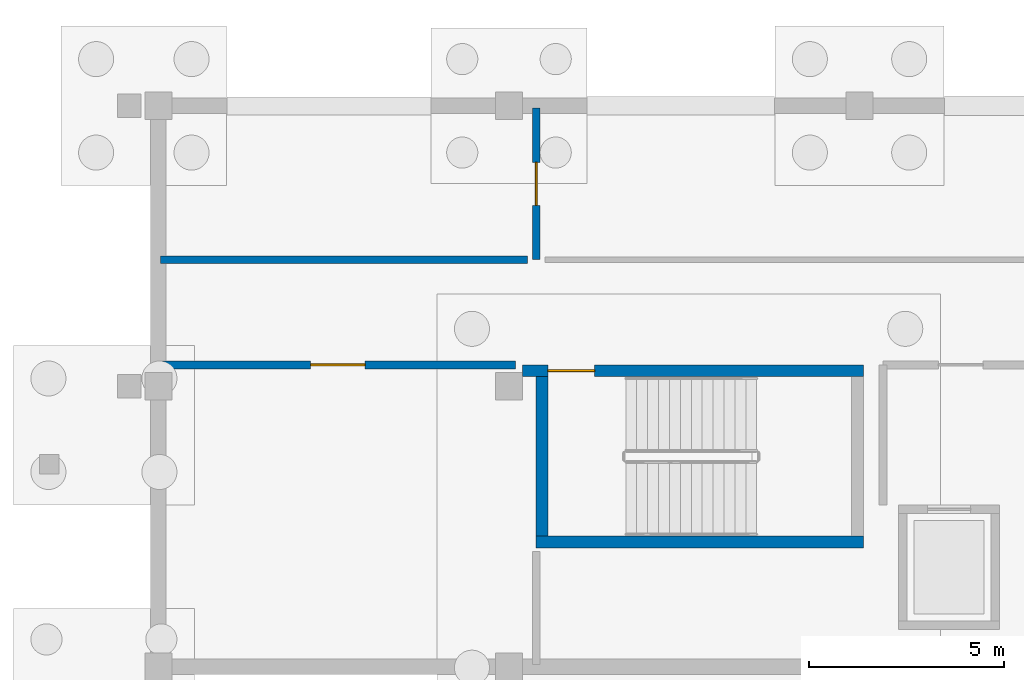
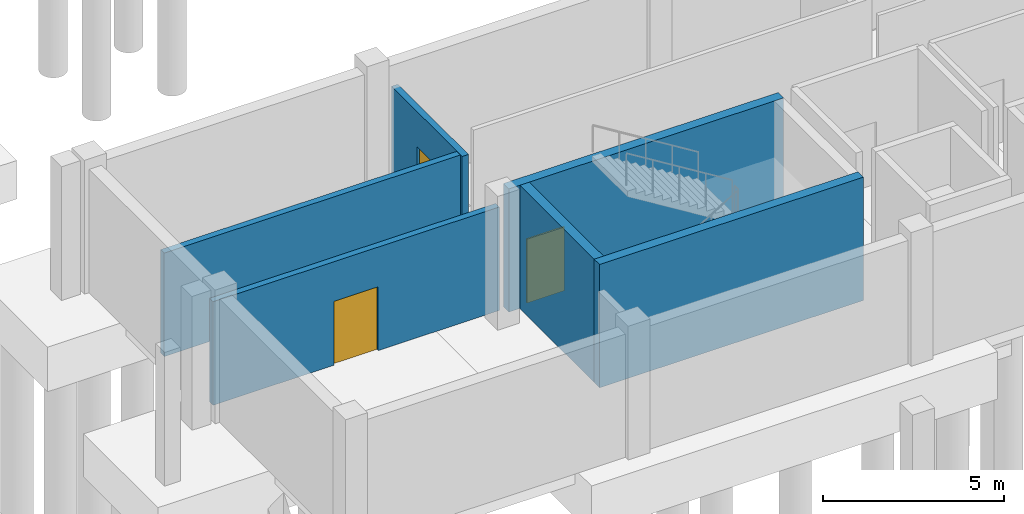
# One storey, part 18 of 36: 6 walls, 3 doors, 3 openings.
"""IFC4 building model written with IfcOpenShell, lengths in metres."""

from ifc_helpers import new_model, si_unit, direction, frame, frame_2d, origin, place, context, subcontext, project, spatial, rectangle, extrude, material, layer, layer_set, type_object, element, fill, save


model = new_model("IFC4")

# Units and contexts
model_context = context("Model", 3, precision=1e-05, world=origin(), true_north=direction((0.0, 1.0)))
body_context = subcontext(model_context, "Body", "Model", "MODEL_VIEW")
ifc_project = project(units=[si_unit("LENGTHUNIT", "METRE"), si_unit("AREAUNIT", "SQUARE_METRE"), si_unit("VOLUMEUNIT", "CUBIC_METRE"), si_unit("PLANEANGLEUNIT", "RADIAN"), si_unit("MASSUNIT", "GRAM", prefix="KILO")], contexts=[model_context])

# Site, building, storey
site_placement = place(None, origin())
site = spatial("IfcSite", under=ifc_project, at=site_placement, CompositionType="ELEMENT")
building_placement = place(site_placement, origin())
building = spatial("IfcBuilding", under=site, at=building_placement, Name="Chiffa Square Polytechnic", CompositionType="ELEMENT")
storey_placement = place(building_placement, frame((0.0, 0.0, -4.5)))
storey = spatial("IfcBuildingStorey", under=building, at=storey_placement, Name="B1", CompositionType="ELEMENT", Elevation=-4.5)

# Wall
ifc_material_1 = material(Name="Concrete C40/50", Category="concrete")
ifc_layer_1 = layer(ifc_material_1, 0.300048828125, Name="Concrete C40/50")
ifc_layer_set_1 = layer_set([ifc_layer_1], Name="Concrete C40/50")
wall_type_1 = type_object("IfcWallType", Name="WL-CORE-300", PredefinedType="SHEAR", material=ifc_layer_set_1)
wall_1_placement = place(storey_placement, frame((121.89990234375, 17.60009765625, 0.0), z_axis=(0.0, 0.0, 1.0), x_axis=(1.0, 0.0, 0.0)))
element("IfcWall", 1, at=wall_1_placement, inside=storey, type_object=wall_type_1, Name="Core or enclosure wall WC-CORE-V1A-B1-SOUTH", PredefinedType="SHEAR", context=body_context, shape_type="SweptSolid", body=[
    extrude(rectangle(XDim=8.400146484375, YDim=0.300048828125, at=frame_2d((4.2001953125, 0.0))), origin(), (0.0, 0.0, 1.0), 4.14990234375),
])

# Wall, opening, door
wall_2_placement = place(storey_placement, frame((121.550048828125, 22.0, 0.0), z_axis=(0.0, 0.0, 1.0), x_axis=(1.0, 0.0, 0.0)))
wall_2 = element("IfcWall", 2, at=wall_2_placement, inside=storey, type_object=wall_type_1, Name="Core or enclosure wall WC-CORE-V1A-B1-NORTH", PredefinedType="SHEAR", context=body_context, shape_type="SweptSolid", body=[
    extrude(rectangle(XDim=8.75, YDim=0.300048828125, at=frame_2d((4.375, 0.0))), origin(), (0.0, 0.0, 1.0), 4.14990234375),
])
opening_1_placement = place(wall_2_placement, frame((0.64990234375, 0.0, 0.0)))
opening_1 = element("IfcOpeningElement", 3, at=opening_1_placement, cuts=wall_2, Name="Opening DS-B1-001", PredefinedType="OPENING", context=body_context, shape_type="SweptSolid", body=[
    extrude(rectangle(XDim=1.199951171875, YDim=2.14990234375, at=frame_2d((0.60009765625, 1.074951171875))), frame((0.0, 0.16015625, 0.0), z_axis=(0.0, -1.0, 0.0), x_axis=(1.0, 0.0, 0.0)), (0.0, 0.0, 1.0), 0.320068359375),
])
ifc_material_2 = material(Name="Fire-rated painted steel leaf", Category="steel")
door_type_1 = type_object("IfcDoorType", Name="DR-STAIR-1200", OperationType="NOTDEFINED", PredefinedType="DOOR", material=ifc_material_2)
door_1_placement = place(opening_1_placement, origin())
door_1 = element("IfcDoor", 4, at=door_1_placement, inside=storey, type_object=door_type_1, Name="Enclosure door DS-B1-001", OperationType="SINGLE_SWING_LEFT", OverallHeight=2.14990234375, OverallWidth=1.199951171875, PredefinedType="DOOR", context=body_context, shape_type="SweptSolid", body=[
    extrude(rectangle(XDim=1.199951171875, YDim=2.14990234375, at=frame_2d((0.60009765625, 1.074951171875))), frame((0.0, 0.02490234375, 0.0), z_axis=(0.0, -1.0, 0.0), x_axis=(1.0, 0.0, 0.0)), (0.0, 0.0, 1.0), 0.050048828125),
])
fill(opening_1, door_1)

# Wall
wall_3_placement = place(storey_placement, frame((122.050048828125, 17.75, 0.0), z_axis=(0.0, 0.0, 1.0), x_axis=(0.0, 1.0, 0.0)))
element("IfcWall", 5, at=wall_3_placement, inside=storey, type_object=wall_type_1, Name="Core or enclosure wall WC-CORE-V1A-B1-WEST", PredefinedType="SHEAR", context=body_context, shape_type="SweptSolid", body=[
    extrude(rectangle(XDim=4.10009765625, YDim=0.300048828125, at=frame_2d((2.050048828125, 0.0))), origin(), (0.0, 0.0, 1.0), 4.14990234375),
])

# Wall, opening, door
ifc_material_3 = material(Name="Autoclaved aerated concrete blockwork", Category="masonry")
ifc_layer_2 = layer(ifc_material_3, 0.199951171875, Name="Autoclaved aerated concrete blockwork")
ifc_layer_set_2 = layer_set([ifc_layer_2], Name="Autoclaved aerated concrete blockwork")
wall_type_2 = type_object("IfcWallType", Name="WL-PART-EI120-200", PredefinedType="PARTITIONING", material=ifc_layer_set_2)
wall_4_placement = place(storey_placement, frame((121.89990234375, 24.85009765625, 0.0), z_axis=(0.0, 0.0, 1.0), x_axis=(0.0, 1.0, 0.0)))
wall_4 = element("IfcWall", 6, at=wall_4_placement, inside=storey, type_object=wall_type_2, Name="Interior partition WP-V1-B1-0008", PredefinedType="PARTITIONING", context=body_context, shape_type="SweptSolid", body=[
    extrude(rectangle(XDim=3.89501953125, YDim=0.199951171875, at=frame_2d((1.947509765625, 0.0))), origin(), (0.0, 0.0, 1.0), 3.3349609375),
])
opening_2_placement = place(wall_4_placement, frame((1.39697265625, 0.0, 0.0)))
opening_2 = element("IfcOpeningElement", 7, at=opening_2_placement, cuts=wall_4, Name="Opening DI-B1-051", PredefinedType="OPENING", context=body_context, shape_type="SweptSolid", body=[
    extrude(rectangle(XDim=1.10009765625, YDim=2.14990234375, at=frame_2d((0.550048828125, 1.074951171875))), frame((0.0, 0.10986328125, 0.0), z_axis=(0.0, -1.0, 0.0), x_axis=(1.0, 0.0, 0.0)), (0.0, 0.0, 1.0), 0.219970703125),
])
ifc_material_4 = material(Name="Solid core ash veneer door")
door_type_2 = type_object("IfcDoorType", Name="DR-INT-1100", OperationType="NOTDEFINED", PredefinedType="DOOR", material=ifc_material_4)
door_2_placement = place(opening_2_placement, origin())
door_2 = element("IfcDoor", 8, at=door_2_placement, inside=storey, type_object=door_type_2, Name="Interior room door DI-B1-051", OperationType="SINGLE_SWING_LEFT", OverallHeight=2.14990234375, OverallWidth=1.10009765625, PredefinedType="DOOR", context=body_context, shape_type="SweptSolid", body=[
    extrude(rectangle(XDim=1.10009765625, YDim=2.14990234375, at=frame_2d((0.550048828125, 1.074951171875))), frame((0.0, 0.02490234375, 0.0), z_axis=(0.0, -1.0, 0.0), x_axis=(1.0, 0.0, 0.0)), (0.0, 0.0, 1.0), 0.050048828125),
])
fill(opening_2, door_2)

wall_5_placement = place(storey_placement, frame((112.2548828125, 22.14990234375, 0.0), z_axis=(0.0, 0.0, 1.0), x_axis=(1.0, 0.0, 0.0)))
wall_5 = element("IfcWall", 9, at=wall_5_placement, inside=storey, type_object=wall_type_2, Name="Interior partition WP-V1-B1-0020", PredefinedType="PARTITIONING", context=body_context, shape_type="SweptSolid", body=[
    extrude(rectangle(XDim=9.108154296875, YDim=0.199951171875, at=frame_2d((4.55419921875, 0.0))), origin(), (0.0, 0.0, 1.0), 3.485107421875),
])
opening_3_placement = place(wall_5_placement, frame((3.85400390625, 0.0, 0.0)))
opening_3 = element("IfcOpeningElement", 10, at=opening_3_placement, cuts=wall_5, Name="Opening DI-B1-054", PredefinedType="OPENING", context=body_context, shape_type="SweptSolid", body=[
    extrude(rectangle(XDim=1.39990234375, YDim=2.14990234375, at=frame_2d((0.699951171875, 1.074951171875))), frame((0.0, 0.10986328125, 0.0), z_axis=(0.0, -1.0, 0.0), x_axis=(1.0, 0.0, 0.0)), (0.0, 0.0, 1.0), 0.219970703125),
])
ifc_material_5 = material(Name="Louvred painted steel plant door", Category="steel")
door_type_3 = type_object("IfcDoorType", Name="DR-PLANT-1400", OperationType="DOUBLE_DOOR_SINGLE_SWING", PredefinedType="DOOR", material=ifc_material_5)
door_3_placement = place(opening_3_placement, origin())
door_3 = element("IfcDoor", 11, at=door_3_placement, inside=storey, type_object=door_type_3, Name="Interior room door DI-B1-054", OperationType="DOUBLE_DOOR_SINGLE_SWING", OverallHeight=2.14990234375, OverallWidth=1.39990234375, PredefinedType="DOOR", context=body_context, shape_type="SweptSolid", body=[
    extrude(rectangle(XDim=1.39990234375, YDim=2.14990234375, at=frame_2d((0.699951171875, 1.074951171875))), frame((0.0, 0.02490234375, 0.0), z_axis=(0.0, -1.0, 0.0), x_axis=(1.0, 0.0, 0.0)), (0.0, 0.0, 1.0), 0.050048828125),
])
fill(opening_3, door_3)

# Wall
wall_6_placement = place(storey_placement, frame((112.2548828125, 24.85009765625, 0.0), z_axis=(0.0, 0.0, 1.0), x_axis=(1.0, 0.0, 0.0)))
element("IfcWall", 12, at=wall_6_placement, inside=storey, type_object=wall_type_2, Name="Interior partition WP-V1-B1-0021", PredefinedType="PARTITIONING", context=body_context, shape_type="SweptSolid", body=[
    extrude(rectangle(XDim=9.425048828125, YDim=0.199951171875, at=frame_2d((4.71240234375, 0.0))), origin(), (0.0, 0.0, 1.0), 3.485107421875),
])

save(model, "model.ifc")
